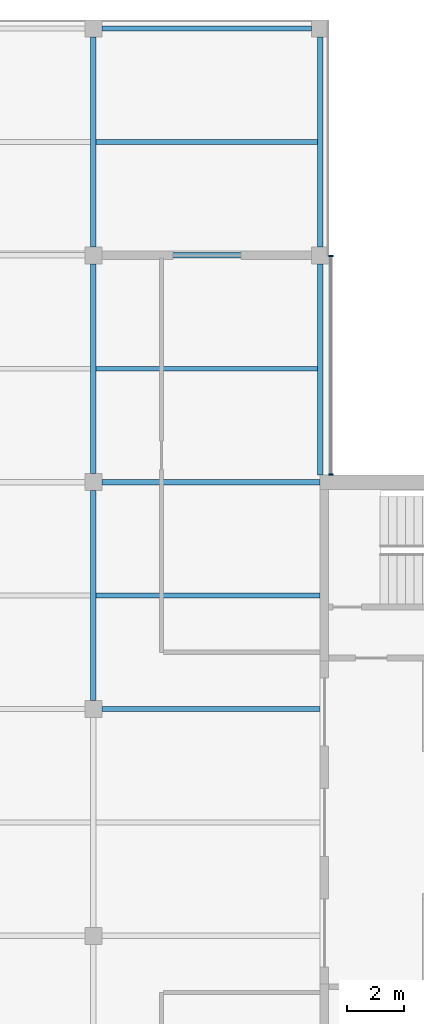
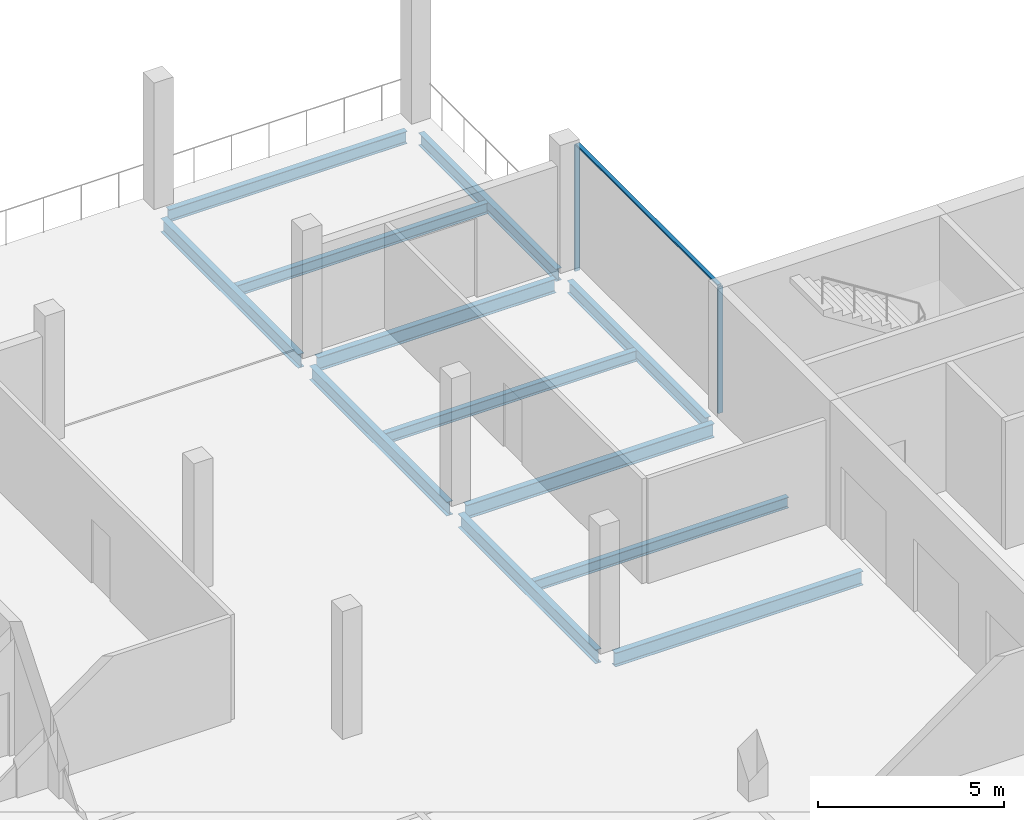
# One storey, part 6 of 12: 12 beams, 3 members, 1 element without a shape of its own.
"""IFC4 building model written with IfcOpenShell, lengths in metres."""

from ifc_helpers import new_model, si_unit, direction, frame, origin, origin_2d, place, context, subcontext, project, spatial, rectangle, i_section, extrude, material, material_profile, profile_set, type_object, element, aggregate, save


model = new_model("IFC4")

# Units and contexts
model_context = context("Model", 3, precision=1e-05, world=origin(), true_north=direction((0.0, 1.0)))
body_context = subcontext(model_context, "Body", "Model", "MODEL_VIEW")
ifc_project = project(units=[si_unit("LENGTHUNIT", "METRE"), si_unit("AREAUNIT", "SQUARE_METRE"), si_unit("VOLUMEUNIT", "CUBIC_METRE"), si_unit("PLANEANGLEUNIT", "RADIAN"), si_unit("MASSUNIT", "GRAM", prefix="KILO")], contexts=[model_context])

# Site, building, storey
site_placement = place(None, origin())
site = spatial("IfcSite", under=ifc_project, at=site_placement, CompositionType="ELEMENT")
building_placement = place(site_placement, origin())
building = spatial("IfcBuilding", under=site, at=building_placement, Name="Crosswind Convention Tower", CompositionType="ELEMENT")
storey_placement = place(building_placement, frame((0.0, 0.0, 328.10009765625)))
storey = spatial("IfcBuildingStorey", under=building, at=storey_placement, Name="L71", CompositionType="ELEMENT", Elevation=328.10009765625)

# Beams
ifc_material_1 = material(Name="Steel S355", Category="steel")
ifc_material_profile_1 = material_profile(ifc_material_1, i_section(OverallWidth=0.177734375, OverallDepth=0.406494140625, WebThickness=0.0078125, FlangeThickness=0.0126953125, FilletRadius=0.01025390625, at=origin_2d()), Name="UB 406x178x60")
ifc_profile_set_1 = profile_set([ifc_material_profile_1], Name="Steel S355")
beam_type_1 = type_object("IfcBeamType", Name="Edge beam UB 406x178x60", PredefinedType="SPANDREL", material=ifc_profile_set_1)
beam_1_placement = place(storey_placement, frame((129.300048828125, 128.0, -0.50341796875), z_axis=(1.0, 0.0, 0.0), x_axis=(0.0, 1.0, 0.0)))
element("IfcBeam", 1, at=beam_1_placement, inside=storey, type_object=beam_type_1, Name="B15 L71 edge beam 10", PredefinedType="SPANDREL", context=body_context, shape_type="SweptSolid", body=[
    extrude(i_section(OverallWidth=0.177734375, OverallDepth=0.406494140625, WebThickness=0.0078125, FlangeThickness=0.0126953125, FilletRadius=0.01025390625, at=origin_2d()), origin(), (0.0, 0.0, 1.0), 7.39990234375),
])
beam_2_placement = place(storey_placement, frame((137.0, 112.25, -0.50341796875), z_axis=(0.0, 1.0, 0.0), x_axis=(-1.0, 0.0, 0.0)))
element("IfcBeam", 2, at=beam_2_placement, inside=storey, type_object=beam_type_1, Name="B15 L71 edge beam 13", PredefinedType="SPANDREL", context=body_context, shape_type="SweptSolid", body=[
    extrude(i_section(OverallWidth=0.177734375, OverallDepth=0.406494140625, WebThickness=0.0078125, FlangeThickness=0.0126953125, FilletRadius=0.01025390625, at=origin_2d()), origin(), (0.0, 0.0, 1.0), 7.449951171875),
])
beam_3_placement = place(storey_placement, frame((137.0, 120.300048828125, -0.50341796875), z_axis=(0.0, 1.0, 0.0), x_axis=(-1.0, 0.0, 0.0)))
element("IfcBeam", 3, at=beam_3_placement, inside=storey, type_object=beam_type_1, Name="B15 L71 edge beam 14", PredefinedType="SPANDREL", context=body_context, shape_type="SweptSolid", body=[
    extrude(i_section(OverallWidth=0.177734375, OverallDepth=0.406494140625, WebThickness=0.0078125, FlangeThickness=0.0126953125, FilletRadius=0.01025390625, at=origin_2d()), origin(), (0.0, 0.0, 1.0), 7.39990234375),
])
ifc_material_profile_2 = material_profile(ifc_material_1, i_section(OverallWidth=0.18994140625, OverallDepth=0.45361328125, WebThickness=0.008544921875, FlangeThickness=0.0126953125, FilletRadius=0.01025390625, at=origin_2d()), Name="UB 457x191x67")
ifc_profile_set_2 = profile_set([ifc_material_profile_2], Name="Steel S355")
beam_type_2 = type_object("IfcBeamType", Name="Girder UB 457x191x67", PredefinedType="BEAM", material=ifc_profile_set_2)
for number, where, z_axis, x_axis, name in (
    (4, (129.0, 104.300048828125, -0.52685546875), (0.0, 1.0, 0.0), (-1.0, 0.0, 0.0), "B1 L71 girder 20"),
    (5, (129.0, 112.300048828125, -0.52685546875), (0.0, 1.0, 0.0), (-1.0, 0.0, 0.0), "B1 L71 girder 21"),
    (6, (129.0, 120.300048828125, -0.52685546875), (0.0, 1.0, 0.0), (-1.0, 0.0, 0.0), "B1 L71 girder 22"),
    (7, (129.300048828125, 120.0, -0.52685546875), (1.0, 0.0, 0.0), (0.0, 1.0, 0.0), "B1 L71 girder 24"),
):
    element("IfcBeam", number, at=place(storey_placement, frame(where, z_axis=z_axis, x_axis=x_axis)), inside=storey, type_object=beam_type_2, Name=name, PredefinedType="BEAM", context=body_context, shape_type="SweptSolid", body=[
        extrude(i_section(OverallWidth=0.18994140625, OverallDepth=0.45361328125, WebThickness=0.008544921875, FlangeThickness=0.0126953125, FilletRadius=0.01025390625, at=origin_2d()), origin(), (0.0, 0.0, 1.0), 7.39990234375),
    ])
ifc_material_profile_3 = material_profile(ifc_material_1, i_section(OverallWidth=0.1904296875, OverallDepth=0.457275390625, WebThickness=0.009033203125, FlangeThickness=0.014404296875, FilletRadius=0.01025390625, at=origin_2d()), Name="UB 457x191x75")
ifc_profile_set_3 = profile_set([ifc_material_profile_3], Name="Steel S355")
beam_type_3 = type_object("IfcBeamType", Name="Girder at core wall UB 457x191x75", PredefinedType="BEAM", material=ifc_profile_set_3)
for number, where, z_axis, x_axis, name in (
    (8, (129.300048828125, 104.0, -0.52880859375), (1.0, 0.0, 0.0), (0.0, 1.0, 0.0), "B22 L71 girder at core wall 7"),
    (9, (129.300048828125, 112.0, -0.52880859375), (1.0, 0.0, 0.0), (0.0, 1.0, 0.0), "B22 L71 girder at core wall 8"),
):
    element("IfcBeam", number, at=place(storey_placement, frame(where, z_axis=z_axis, x_axis=x_axis)), inside=storey, type_object=beam_type_3, Name=name, PredefinedType="BEAM", context=body_context, shape_type="SweptSolid", body=[
        extrude(i_section(OverallWidth=0.1904296875, OverallDepth=0.457275390625, WebThickness=0.009033203125, FlangeThickness=0.014404296875, FilletRadius=0.01025390625, at=origin_2d()), origin(), (0.0, 0.0, 1.0), 7.699951171875),
    ])

# Curtain wall, members
ifc_material_2 = material(Name="Aluminium unitised curtain wall", Category="aluminium")
curtain_wall_type = type_object("IfcCurtainWallType", Name="CORE END SLOT WALL 160", PredefinedType="USERDEFINED", material=ifc_material_2)
curtain_wall_placement = place(storey_placement, origin())
curtain_wall = element("IfcCurtainWall", 10, at=curtain_wall_placement, inside=storey, type_object=curtain_wall_type, Name="CW6 L71 N-E.1-1 slot", ObjectType="UNITISED", PredefinedType="USERDEFINED")
ifc_material_3 = material(Name="Aluminium mullion", Category="aluminium")
ifc_material_profile_4 = material_profile(ifc_material_3, rectangle(XDim=0.159912109375, YDim=0.050048828125, at=origin_2d()), Name="AL 160X50")
ifc_profile_set_4 = profile_set([ifc_material_profile_4], Name="Aluminium mullion")
member_type_1 = type_object("IfcMemberType", Name="MULLION 50X160", PredefinedType="MULLION", material=ifc_profile_set_4)
member_1_placement = place(storey_placement, frame((137.3798828125, 112.27490234375, -0.300048828125), z_axis=(0.0, 0.0, 1.0), x_axis=(1.0, 0.0, 0.0)))
member_1 = element("IfcMember", 11, at=member_1_placement, type_object=member_type_1, Name="CW6 mullion 1", PredefinedType="MULLION", context=body_context, shape_type="SweptSolid", body=[
    extrude(rectangle(XDim=0.159912109375, YDim=0.050048828125, at=origin_2d()), origin(), (0.0, 0.0, 1.0), 4.14990234375),
])
member_2_placement = place(storey_placement, frame((137.3798828125, 119.97509765625, -0.300048828125), z_axis=(0.0, 0.0, 1.0), x_axis=(1.0, 0.0, 0.0)))
member_2 = element("IfcMember", 12, at=member_2_placement, type_object=member_type_1, Name="CW6 mullion 2", PredefinedType="MULLION", context=body_context, shape_type="SweptSolid", body=[
    extrude(rectangle(XDim=0.159912109375, YDim=0.050048828125, at=origin_2d()), origin(), (0.0, 0.0, 1.0), 4.14990234375),
])

# Beams
ifc_material_profile_5 = material_profile(ifc_material_1, i_section(OverallWidth=0.17138671875, OverallDepth=0.355712890625, WebThickness=0.00732421875, FlangeThickness=0.011474609375, FilletRadius=0.01025390625, at=origin_2d()), Name="UB 356x171x51")
ifc_profile_set_5 = profile_set([ifc_material_profile_5], Name="Steel S355")
beam_type_4 = type_object("IfcBeamType", Name="Secondary beam UB 356x171x51", PredefinedType="JOIST", material=ifc_profile_set_5)
beam_4_placement = place(storey_placement, frame((129.094970703125, 108.0, -0.477783203125), z_axis=(1.0, 0.0, 0.0), x_axis=(0.0, 1.0, 0.0)))
element("IfcBeam", 13, at=beam_4_placement, inside=storey, type_object=beam_type_4, Name="B8 L71 secondary beam 19", PredefinedType="JOIST", context=body_context, shape_type="SweptSolid", body=[
    extrude(i_section(OverallWidth=0.17138671875, OverallDepth=0.355712890625, WebThickness=0.00732421875, FlangeThickness=0.011474609375, FilletRadius=0.01025390625, at=origin_2d()), origin(), (0.0, 0.0, 1.0), 7.905029296875),
])
for number, where, z_axis, x_axis, name in (
    (14, (129.094970703125, 116.0, -0.477783203125), (1.0, 0.0, 0.0), (0.0, 1.0, 0.0), "B8 L71 secondary beam 20"),
    (15, (129.094970703125, 124.0, -0.477783203125), (1.0, 0.0, 0.0), (0.0, 1.0, 0.0), "B8 L71 secondary beam 21"),
):
    element("IfcBeam", number, at=place(storey_placement, frame(where, z_axis=z_axis, x_axis=x_axis)), inside=storey, type_object=beam_type_4, Name=name, PredefinedType="JOIST", context=body_context, shape_type="SweptSolid", body=[
        extrude(i_section(OverallWidth=0.17138671875, OverallDepth=0.355712890625, WebThickness=0.00732421875, FlangeThickness=0.011474609375, FilletRadius=0.01025390625, at=origin_2d()), origin(), (0.0, 0.0, 1.0), 7.816162109375),
    ])

# Member
ifc_material_4 = material(Name="Aluminium transom", Category="aluminium")
ifc_material_profile_6 = material_profile(ifc_material_4, rectangle(XDim=0.1201171875, YDim=0.050048828125, at=origin_2d()), Name="AL 120X50")
ifc_profile_set_6 = profile_set([ifc_material_profile_6], Name="Aluminium transom")
member_type_2 = type_object("IfcMemberType", Name="TRANSOM 50X120", PredefinedType="USERDEFINED", material=ifc_profile_set_6)
member_3_placement = place(storey_placement, frame((137.3798828125, 112.300048828125, 3.875), z_axis=(0.0, 1.0, 0.0), x_axis=(-1.0, 0.0, 0.0)))
member_3 = element("IfcMember", 16, at=member_3_placement, type_object=member_type_2, Name="CW6 transom", ObjectType="TRANSOM", PredefinedType="USERDEFINED", context=body_context, shape_type="SweptSolid", body=[
    extrude(rectangle(XDim=0.1201171875, YDim=0.050048828125, at=origin_2d()), origin(), (0.0, 0.0, 1.0), 7.64990234375),
])

aggregate(curtain_wall, [member_1, member_2, member_3])

save(model, "model.ifc")
